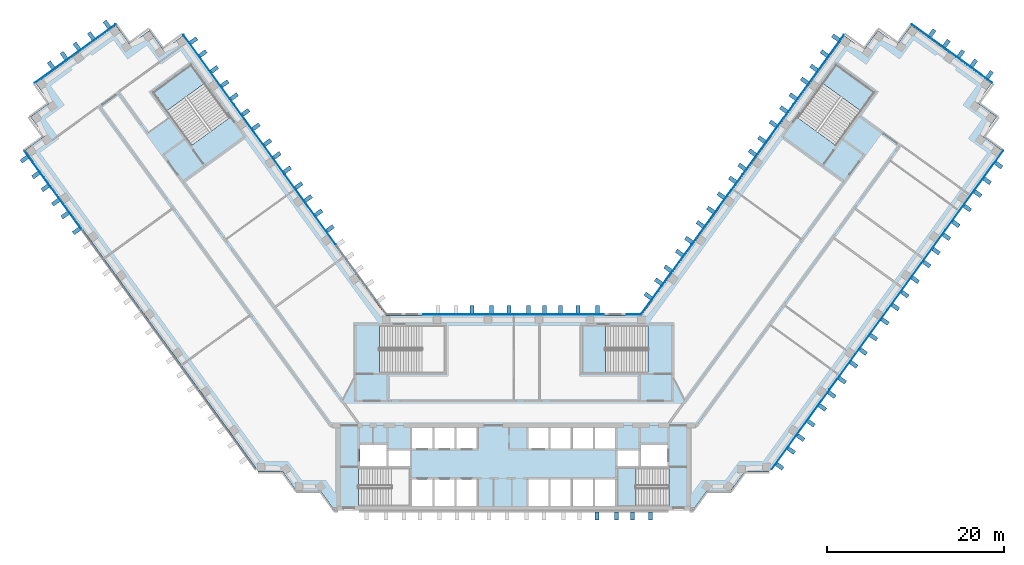
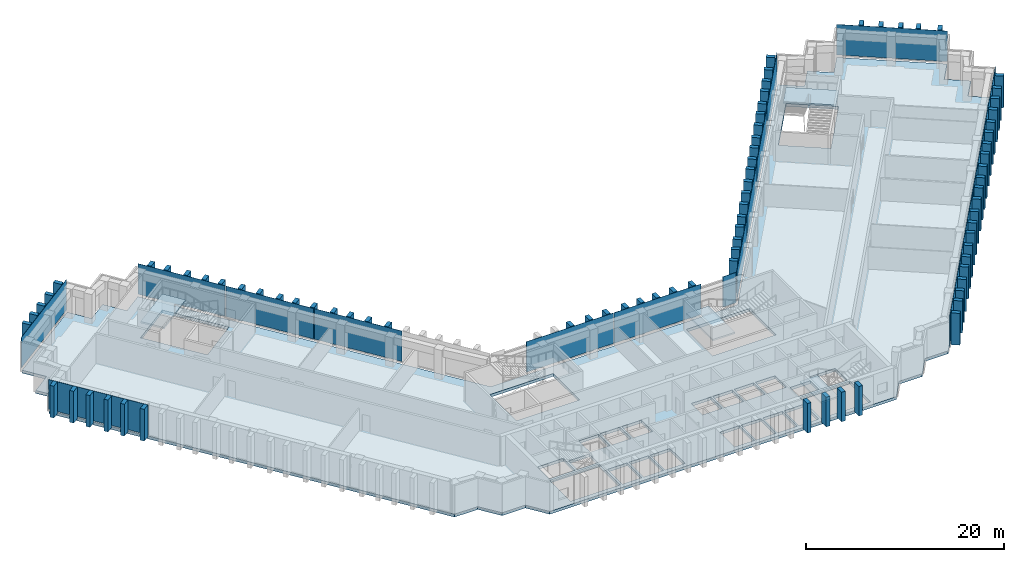
"""IFC4 building model written with IfcOpenShell, lengths in metres."""

from ifc_helpers import new_model, si_unit, direction, frame, origin, origin_2d, place, context, subcontext, project, spatial, polyline, rectangle, outline, extrude, material, layer, layer_set, type_object, element, aggregate, save


model = new_model("IFC4")

# Units and contexts
model_context = context("Model", 3, precision=1e-05, world=origin(), true_north=direction((0.0, 1.0)))
body_context = subcontext(model_context, "Body", "Model", "MODEL_VIEW")
ifc_project = project(units=[si_unit("LENGTHUNIT", "METRE"), si_unit("AREAUNIT", "SQUARE_METRE"), si_unit("VOLUMEUNIT", "CUBIC_METRE"), si_unit("PLANEANGLEUNIT", "RADIAN"), si_unit("MASSUNIT", "GRAM", prefix="KILO")], contexts=[model_context])

# Site, building, storey
site_placement = place(None, origin())
site = spatial("IfcSite", under=ifc_project, at=site_placement, CompositionType="ELEMENT")
building_placement = place(site_placement, origin())
building = spatial("IfcBuilding", under=site, at=building_placement, Name="Quipu Civic Tower", CompositionType="ELEMENT")
storey_1_placement = place(building_placement, frame((0.0, 0.0, 31.0)))
storey_1 = spatial("IfcBuildingStorey", under=building, at=storey_1_placement, Name="L06", CompositionType="ELEMENT", Elevation=31.0)

# Slab
ifc_material_1 = material(Name="Concrete C40/50", Category="concrete")
ifc_layer_1 = layer(ifc_material_1, 0.35009765625)
ifc_layer_set_1 = layer_set([ifc_layer_1], Name="Concrete C40/50")
slab_type_1 = type_object("IfcSlabType", Name="Floor slab 350 C40/50", PredefinedType="FLOOR", material=ifc_layer_set_1)
slab_1_placement = place(storey_1_placement, frame((0.0, 0.0, -0.35009765625)))
element("IfcSlab", 1, at=slab_1_placement, inside=storey_1, type_object=slab_type_1, Name="Floor slab L06", PredefinedType="FLOOR", context=body_context, shape_type="SweptSolid", body=[
    extrude(outline(polyline([(37.31494140625, 42.550048828125), (39.5, 40.9599609375), (41.0849609375, 43.14501953125), (43.27001953125, 41.56005859375), (44.860107421875, 43.739990234375), (53.919921875, 37.159912109375), (52.3349609375, 34.97509765625), (54.514892578125, 33.389892578125), (52.929931640625, 31.205078125), (55.114990234375, 29.614990234375), (28.780029296875, -6.6298828125), (26.080078125, -6.6298828125), (24.489990234375, -8.81494140625), (21.7900390625, -8.81494140625), (20.205078125, -11.0), (-20.205078125, -11.0), (-21.7900390625, -8.81494140625), (-24.489990234375, -8.81494140625), (-26.080078125, -6.6298828125), (-28.780029296875, -6.6298828125), (-55.114990234375, 29.614990234375), (-52.929931640625, 31.205078125), (-54.514892578125, 33.389892578125), (-52.3349609375, 34.97509765625), (-53.919921875, 37.159912109375), (-44.860107421875, 43.739990234375), (-43.27001953125, 41.56005859375), (-41.0849609375, 43.14501953125), (-39.5, 40.9599609375), (-37.31494140625, 42.550048828125), (-14.39501953125, 11.0), (14.39501953125, 11.0), (37.31494140625, 42.550048828125)]), holes=[polyline([(-11.449951171875, -7.5), (-11.449951171875, -10.5), (-9.14990234375, -10.5), (-9.14990234375, -7.5), (-11.449951171875, -7.5)]), polyline([(-6.64990234375, -7.5), (-8.949951171875, -7.5), (-8.949951171875, -10.5), (-6.64990234375, -10.5), (-6.64990234375, -7.5)]), polyline([(-4.14990234375, -7.5), (-6.449951171875, -7.5), (-6.449951171875, -10.5), (-4.14990234375, -10.5), (-4.14990234375, -7.5)]), polyline([(1.64990234375, -7.5), (1.64990234375, -10.5), (3.949951171875, -10.5), (3.949951171875, -7.5), (1.64990234375, -7.5)]), polyline([(-11.705078125, -10.4951171875), (-11.705078125, -6.2548828125), (-17.4951171875, -6.2548828125), (-17.4951171875, -10.4951171875), (-11.705078125, -10.4951171875)]), polyline([(-11.699951171875, -4.25), (-14.10009765625, -4.25), (-14.10009765625, -6.0), (-11.699951171875, -6.0), (-11.699951171875, -4.25)]), polyline([(-17.35009765625, -3.60009765625), (-17.35009765625, -6.0), (-14.35009765625, -6.0), (-14.35009765625, -3.60009765625), (-17.35009765625, -3.60009765625)]), polyline([(-9.14990234375, -1.699951171875), (-11.449951171875, -1.699951171875), (-11.449951171875, -4.0), (-9.14990234375, -4.0), (-9.14990234375, -1.699951171875)]), polyline([(-6.64990234375, -1.699951171875), (-8.949951171875, -1.699951171875), (-8.949951171875, -4.0), (-6.64990234375, -4.0), (-6.64990234375, -1.699951171875)]), polyline([(-6.449951171875, -1.699951171875), (-6.449951171875, -4.0), (-4.14990234375, -4.0), (-4.14990234375, -1.699951171875), (-6.449951171875, -1.699951171875)]), polyline([(-7.7548828125, 4.5048828125), (-7.7548828125, 9.844970703125), (-15.14501953125, 9.844970703125), (-15.14501953125, 4.5048828125), (-7.7548828125, 4.5048828125)]), polyline([(-36.364990234375, 39.27490234375), (-40.68505859375, 36.135009765625), (-36.344970703125, 30.159912109375), (-32.02490234375, 33.300048828125), (-36.364990234375, 39.27490234375)]), polyline([(4.14990234375, -7.5), (4.14990234375, -10.5), (6.449951171875, -10.5), (6.449951171875, -7.5), (4.14990234375, -7.5)]), polyline([(8.949951171875, -7.5), (6.64990234375, -7.5), (6.64990234375, -10.5), (8.949951171875, -10.5), (8.949951171875, -7.5)]), polyline([(11.449951171875, -7.5), (9.14990234375, -7.5), (9.14990234375, -10.5), (11.449951171875, -10.5), (11.449951171875, -7.5)]), polyline([(11.705078125, -10.4951171875), (17.4951171875, -10.4951171875), (17.4951171875, -6.2548828125), (11.705078125, -6.2548828125), (11.705078125, -10.4951171875)]), polyline([(14.10009765625, -4.25), (11.699951171875, -4.25), (11.699951171875, -6.0), (14.10009765625, -6.0), (14.10009765625, -4.25)]), polyline([(17.35009765625, -3.60009765625), (14.35009765625, -3.60009765625), (14.35009765625, -6.0), (17.35009765625, -6.0), (17.35009765625, -3.60009765625)]), polyline([(1.64990234375, -1.699951171875), (1.64990234375, -4.0), (3.949951171875, -4.0), (3.949951171875, -1.699951171875), (1.64990234375, -1.699951171875)]), polyline([(6.449951171875, -1.699951171875), (4.14990234375, -1.699951171875), (4.14990234375, -4.0), (6.449951171875, -4.0), (6.449951171875, -1.699951171875)]), polyline([(8.949951171875, -1.699951171875), (6.64990234375, -1.699951171875), (6.64990234375, -4.0), (8.949951171875, -4.0), (8.949951171875, -1.699951171875)]), polyline([(9.14990234375, -1.699951171875), (9.14990234375, -4.0), (11.449951171875, -4.0), (11.449951171875, -1.699951171875), (9.14990234375, -1.699951171875)]), polyline([(7.7548828125, 9.844970703125), (7.7548828125, 4.5048828125), (15.14501953125, 4.5048828125), (15.14501953125, 9.844970703125), (7.7548828125, 9.844970703125)]), polyline([(40.68505859375, 36.135009765625), (36.364990234375, 39.27490234375), (32.02490234375, 33.300048828125), (36.344970703125, 30.159912109375), (40.68505859375, 36.135009765625)])]), origin(), (0.0, 0.0, 1.0), 0.35009765625),
])

# Curtain wall, plate
ifc_material_2 = material(Name="Insulated glass unit", Category="glass")
curtain_wall_type = type_object("IfcCurtainWallType", Name="Office curtain wall CW1", PredefinedType="NOTDEFINED", material=ifc_material_2)
curtain_wall_1_placement = place(storey_1_placement, origin())
curtain_wall_1 = element("IfcCurtainWall", 2, at=curtain_wall_1_placement, inside=storey_1, type_object=curtain_wall_type, Name="Office curtain wall CW1 L06 run 4", PredefinedType="NOTDEFINED")
ifc_material_3 = material(Name="Insulated glass unit", Category="glass")
ifc_layer_2 = layer(ifc_material_3, 0.028076171875)
ifc_layer_set_2 = layer_set([ifc_layer_2], Name="Insulated glass unit")
plate_type_1 = type_object("IfcPlateType", Name="Glass panel CW1", PredefinedType="CURTAIN_PANEL", material=ifc_layer_set_2)
plate_1_placement = place(storey_1_placement, frame((-51.967529296875, 25.114990234375, 0.240234375), z_axis=(0.0, 0.0, 1.0), x_axis=(0.587785559869, -0.809016770908, 0.0)))
plate_1 = element("IfcPlate", 3, at=plate_1_placement, type_object=plate_type_1, Name="CW1 panel 1.1", PredefinedType="CURTAIN_PANEL", context=body_context, shape_type="SweptSolid", body=[
    extrude(rectangle(XDim=11.022705078125, YDim=0.028076171875, at=origin_2d()), origin(), (0.0, 0.0, 1.0), 3.679931640625),
])
aggregate(curtain_wall_1, [plate_1])

# Storey
storey_2_placement = place(building_placement, frame((0.0, 0.0, 35.0)))
storey_2 = spatial("IfcBuildingStorey", under=building, at=storey_2_placement, Name="L07", CompositionType="ELEMENT", Elevation=35.0)

# Curtain wall, plates
curtain_wall_2_placement = place(storey_2_placement, origin())
curtain_wall_2 = element("IfcCurtainWall", 4, at=curtain_wall_2_placement, inside=storey_2, type_object=curtain_wall_type, Name="Office curtain wall CW1 L06 run 16", PredefinedType="NOTDEFINED")
plate_2_placement = place(storey_1_placement, frame((32.342529296875, -1.896484375, 0.240234375), z_axis=(0.0, 0.0, 1.0), x_axis=(0.587785559869, 0.809016770908, 0.0)))
plate_2 = element("IfcPlate", 5, at=plate_2_placement, inside=storey_1, type_object=plate_type_1, Name="CW1 panel 1.1", PredefinedType="CURTAIN_PANEL", context=body_context, shape_type="SweptSolid", body=[
    extrude(rectangle(XDim=11.022705078125, YDim=0.028076171875, at=origin_2d()), origin(), (0.0, 0.0, 1.0), 3.760009765625),
])
plate_3_placement = place(storey_1_placement, frame((38.880126953125, 7.101806640625, 0.240234375), z_axis=(0.0, 0.0, 1.0), x_axis=(0.587785559869, 0.809016770908, 0.0)))
plate_3 = element("IfcPlate", 6, at=plate_3_placement, inside=storey_1, type_object=plate_type_1, Name="CW1 panel 2.1", PredefinedType="CURTAIN_PANEL", context=body_context, shape_type="SweptSolid", body=[
    extrude(rectangle(XDim=11.062744140625, YDim=0.028076171875, at=origin_2d()), origin(), (0.0, 0.0, 1.0), 3.760009765625),
])
plate_4_placement = place(storey_1_placement, frame((45.4296875, 16.11669921875, 0.240234375), z_axis=(0.0, 0.0, 1.0), x_axis=(0.587785559869, 0.809016770908, 0.0)))
plate_4 = element("IfcPlate", 7, at=plate_4_placement, inside=storey_1, type_object=plate_type_1, Name="CW1 panel 3.1", PredefinedType="CURTAIN_PANEL", context=body_context, shape_type="SweptSolid", body=[
    extrude(rectangle(XDim=11.062744140625, YDim=0.028076171875, at=origin_2d()), origin(), (0.0, 0.0, 1.0), 3.760009765625),
])
plate_5_placement = place(storey_1_placement, frame((51.967529296875, 25.114990234375, 0.240234375), z_axis=(0.0, 0.0, 1.0), x_axis=(0.587785559869, 0.809016770908, 0.0)))
plate_5 = element("IfcPlate", 8, at=plate_5_placement, inside=storey_1, type_object=plate_type_1, Name="CW1 panel 4.1", PredefinedType="CURTAIN_PANEL", context=body_context, shape_type="SweptSolid", body=[
    extrude(rectangle(XDim=11.022705078125, YDim=0.028076171875, at=origin_2d()), origin(), (0.0, 0.0, 1.0), 3.760009765625),
])
aggregate(curtain_wall_2, [plate_2, plate_3, plate_4, plate_5])

# Curtain wall, plate
curtain_wall_3_placement = place(storey_2_placement, origin())
curtain_wall_3 = element("IfcCurtainWall", 9, at=curtain_wall_3_placement, inside=storey_2, type_object=curtain_wall_type, Name="Office curtain wall CW1 L06 run 21", PredefinedType="NOTDEFINED")
plate_6_placement = place(storey_1_placement, frame((49.447998046875, 40.53173828125, 0.240234375), z_axis=(0.0, 0.0, 1.0), x_axis=(-0.809019348124, 0.587782012621, 0.0)))
plate_6 = element("IfcPlate", 10, at=plate_6_placement, inside=storey_1, type_object=plate_type_1, Name="CW1 panel 1.1", PredefinedType="CURTAIN_PANEL", context=body_context, shape_type="SweptSolid", body=[
    extrude(rectangle(XDim=11.239990234375, YDim=0.028076171875, at=origin_2d()), origin(), (0.0, 0.0, 1.0), 3.760009765625),
])
aggregate(curtain_wall_3, [plate_6])

# Curtain wall, plates
curtain_wall_4_placement = place(storey_2_placement, origin())
curtain_wall_4 = element("IfcCurtainWall", 11, at=curtain_wall_4_placement, inside=storey_2, type_object=curtain_wall_type, Name="Office curtain wall CW1 L06 run 26", PredefinedType="NOTDEFINED")
plate_7_placement = place(storey_1_placement, frame((34.413330078125, 38.722900390625, 0.240234375), z_axis=(0.0, 0.0, 1.0), x_axis=(-0.587785887566, -0.809016532822, 0.0)))
plate_7 = element("IfcPlate", 12, at=plate_7_placement, inside=storey_1, type_object=plate_type_1, Name="CW1 panel 1.1", PredefinedType="CURTAIN_PANEL", context=body_context, shape_type="SweptSolid", body=[
    extrude(rectangle(XDim=9.64111328125, YDim=0.028076171875, at=origin_2d()), origin(), (0.0, 0.0, 1.0), 3.760009765625),
])
plate_8_placement = place(storey_1_placement, frame((28.687744140625, 30.84228515625, 0.240234375), z_axis=(0.0, 0.0, 1.0), x_axis=(-0.587785887566, -0.809016532822, 0.0)))
plate_8 = element("IfcPlate", 13, at=plate_8_placement, inside=storey_1, type_object=plate_type_1, Name="CW1 panel 2.1", PredefinedType="CURTAIN_PANEL", context=body_context, shape_type="SweptSolid", body=[
    extrude(rectangle(XDim=9.68115234375, YDim=0.028076171875, at=origin_2d()), origin(), (0.0, 0.0, 1.0), 3.760009765625),
])
plate_9_placement = place(storey_1_placement, frame((22.950439453125, 22.9453125, 0.240234375), z_axis=(0.0, 0.0, 1.0), x_axis=(-0.587785887566, -0.809016532822, 0.0)))
plate_9 = element("IfcPlate", 14, at=plate_9_placement, inside=storey_1, type_object=plate_type_1, Name="CW1 panel 3.1", PredefinedType="CURTAIN_PANEL", context=body_context, shape_type="SweptSolid", body=[
    extrude(rectangle(XDim=9.68115234375, YDim=0.028076171875, at=origin_2d()), origin(), (0.0, 0.0, 1.0), 3.760009765625),
])
plate_10_placement = place(storey_1_placement, frame((17.224609375, 15.064697265625, 0.240234375), z_axis=(0.0, 0.0, 1.0), x_axis=(-0.587785887566, -0.809016532822, 0.0)))
plate_10 = element("IfcPlate", 15, at=plate_10_placement, inside=storey_1, type_object=plate_type_1, Name="CW1 panel 4.1", PredefinedType="CURTAIN_PANEL", context=body_context, shape_type="SweptSolid", body=[
    extrude(rectangle(XDim=9.64111328125, YDim=0.028076171875, at=origin_2d()), origin(), (0.0, 0.0, 1.0), 3.760009765625),
])
aggregate(curtain_wall_4, [plate_7, plate_8, plate_9, plate_10])

# Curtain wall, plate
curtain_wall_5_placement = place(storey_2_placement, origin())
curtain_wall_5 = element("IfcCurtainWall", 16, at=curtain_wall_5_placement, inside=storey_2, type_object=curtain_wall_type, Name="Office curtain wall CW1 L06 run 27", PredefinedType="NOTDEFINED")
plate_11_placement = place(storey_1_placement, frame((13.49951171875, 11.10009765625, 0.240234375), z_axis=(0.0, 0.0, 1.0), x_axis=(-1.0, 0.0, 0.0)))
plate_11 = element("IfcPlate", 17, at=plate_11_placement, inside=storey_1, type_object=plate_type_1, Name="CW1 panel 1.1", PredefinedType="CURTAIN_PANEL", context=body_context, shape_type="SweptSolid", body=[
    extrude(rectangle(XDim=1.529296875, YDim=0.028076171875, at=origin_2d()), origin(), (0.0, 0.0, 1.0), 3.760009765625),
])
aggregate(curtain_wall_5, [plate_11])

# Curtain wall, plates
curtain_wall_6_placement = place(storey_2_placement, origin())
curtain_wall_6 = element("IfcCurtainWall", 18, at=curtain_wall_6_placement, inside=storey_2, type_object=curtain_wall_type, Name="Office curtain wall CW1 L06 run 29", PredefinedType="NOTDEFINED")
plate_12_placement = place(storey_1_placement, frame((5.11181640625, 11.10009765625, 0.240234375), z_axis=(0.0, 0.0, 1.0), x_axis=(-1.0, 0.0, 0.0)))
plate_12 = element("IfcPlate", 19, at=plate_12_placement, inside=storey_1, type_object=plate_type_1, Name="CW1 panel 1.1", PredefinedType="CURTAIN_PANEL", context=body_context, shape_type="SweptSolid", body=[
    extrude(rectangle(XDim=10.1435546875, YDim=0.028076171875, at=origin_2d()), origin(), (0.0, 0.0, 1.0), 3.760009765625),
])
plate_13_placement = place(storey_1_placement, frame((-5.11181640625, 11.10009765625, 0.240234375), z_axis=(0.0, 0.0, 1.0), x_axis=(-1.0, 0.0, 0.0)))
plate_13 = element("IfcPlate", 20, at=plate_13_placement, inside=storey_1, type_object=plate_type_1, Name="CW1 panel 2.1", PredefinedType="CURTAIN_PANEL", context=body_context, shape_type="SweptSolid", body=[
    extrude(rectangle(XDim=10.1435546875, YDim=0.028076171875, at=origin_2d()), origin(), (0.0, 0.0, 1.0), 3.760009765625),
])
aggregate(curtain_wall_6, [plate_12, plate_13])

curtain_wall_7_placement = place(storey_2_placement, origin())
curtain_wall_7 = element("IfcCurtainWall", 21, at=curtain_wall_7_placement, inside=storey_2, type_object=curtain_wall_type, Name="Office curtain wall CW1 L06 run 32", PredefinedType="NOTDEFINED")
plate_14_placement = place(storey_1_placement, frame((-22.950439453125, 22.9453125, 0.240234375), z_axis=(0.0, 0.0, 1.0), x_axis=(-0.587785887566, 0.809016532822, 0.0)))
plate_14 = element("IfcPlate", 22, at=plate_14_placement, inside=storey_1, type_object=plate_type_1, Name="CW1 panel 2.1", PredefinedType="CURTAIN_PANEL", context=body_context, shape_type="SweptSolid", body=[
    extrude(rectangle(XDim=9.68115234375, YDim=0.028076171875, at=origin_2d()), origin(), (0.0, 0.0, 1.0), 3.760009765625),
])
plate_15_placement = place(storey_1_placement, frame((-28.687744140625, 30.84228515625, 0.240234375), z_axis=(0.0, 0.0, 1.0), x_axis=(-0.587785887566, 0.809016532822, 0.0)))
plate_15 = element("IfcPlate", 23, at=plate_15_placement, inside=storey_1, type_object=plate_type_1, Name="CW1 panel 3.1", PredefinedType="CURTAIN_PANEL", context=body_context, shape_type="SweptSolid", body=[
    extrude(rectangle(XDim=9.68115234375, YDim=0.028076171875, at=origin_2d()), origin(), (0.0, 0.0, 1.0), 3.760009765625),
])
plate_16_placement = place(storey_1_placement, frame((-34.413330078125, 38.722900390625, 0.240234375), z_axis=(0.0, 0.0, 1.0), x_axis=(-0.587785887566, 0.809016532822, 0.0)))
plate_16 = element("IfcPlate", 24, at=plate_16_placement, inside=storey_1, type_object=plate_type_1, Name="CW1 panel 4.1", PredefinedType="CURTAIN_PANEL", context=body_context, shape_type="SweptSolid", body=[
    extrude(rectangle(XDim=9.64111328125, YDim=0.028076171875, at=origin_2d()), origin(), (0.0, 0.0, 1.0), 3.760009765625),
])
aggregate(curtain_wall_7, [plate_14, plate_15, plate_16])

# Curtain wall, plate
curtain_wall_8_placement = place(storey_2_placement, origin())
curtain_wall_8 = element("IfcCurtainWall", 25, at=curtain_wall_8_placement, inside=storey_2, type_object=curtain_wall_type, Name="Office curtain wall CW1 L06 run 37", PredefinedType="NOTDEFINED")
plate_17_placement = place(storey_1_placement, frame((-49.447998046875, 40.53173828125, 0.240234375), z_axis=(0.0, 0.0, 1.0), x_axis=(-0.809019348124, -0.587782012621, 0.0)))
plate_17 = element("IfcPlate", 26, at=plate_17_placement, inside=storey_1, type_object=plate_type_1, Name="CW1 panel 1.1", PredefinedType="CURTAIN_PANEL", context=body_context, shape_type="SweptSolid", body=[
    extrude(rectangle(XDim=11.239990234375, YDim=0.028076171875, at=origin_2d()), origin(), (0.0, 0.0, 1.0), 3.760009765625),
])
aggregate(curtain_wall_8, [plate_17])

# Plates
ifc_material_4 = material(Name="Precast concrete C40/50", Category="concrete")
plate_type_2 = type_object("IfcPlateType", Name="Precast fin F1", PredefinedType="SHEET", material=ifc_material_4)
for number, where, z_axis, x_axis, name in (
    (27, (-55.184814453125, 28.607421875, 0.080078125), (0.0, 0.0, 1.0), (0.587785716149, -0.809016657363, 0.0), "Precast fin F1 L06.4.1"),
    (28, (-53.8916015625, 26.82763671875, 0.080078125), (0.0, 0.0, 1.0), (0.587785716149, -0.809016657363, 0.0), "Precast fin F1 L06.4.2"),
    (29, (-52.83349609375, 25.371337890625, 0.080078125), (0.0, 0.0, 1.0), (0.587785716149, -0.809016657363, 0.0), "Precast fin F1 L06.4.3"),
    (30, (-51.657958984375, 23.75341796875, 0.080078125), (0.0, 0.0, 1.0), (0.587785716149, -0.809016657363, 0.0), "Precast fin F1 L06.4.4"),
    (31, (-50.60009765625, 22.297119140625, 0.080078125), (0.0, 0.0, 1.0), (0.587785716149, -0.809016657363, 0.0), "Precast fin F1 L06.4.5"),
    (32, (-49.306884765625, 20.517333984375, 0.080078125), (0.0, 0.0, 1.0), (0.587785716149, -0.809016657363, 0.0), "Precast fin F1 L06.4.6"),
):
    element("IfcPlate", number, at=place(storey_1_placement, frame(where, z_axis=z_axis, x_axis=x_axis)), inside=storey_1, type_object=plate_type_2, Name=name, PredefinedType="SHEET", context=body_context, shape_type="SweptSolid", body=[
        extrude(rectangle(XDim=0.449951171875, YDim=0.89990234375, at=origin_2d()), origin(), (0.0, 0.0, 1.0), 3.919921875),
    ])
for number, where, z_axis, x_axis, name in (
    (33, (9.425048828125, -11.637939453125, 0.0), (0.0, 0.0, 1.0), (1.0, 0.0, 0.0), "Precast fin F1 L06.10.14"),
    (34, (11.625, -11.637939453125, 0.0), (0.0, 0.0, 1.0), (1.0, 0.0, 0.0), "Precast fin F1 L06.10.15"),
    (35, (13.425048828125, -11.637939453125, 0.0), (0.0, 0.0, 1.0), (1.0, 0.0, 0.0), "Precast fin F1 L06.10.16"),
    (36, (15.425048828125, -11.637939453125, 0.0), (0.0, 0.0, 1.0), (1.0, 0.0, 0.0), "Precast fin F1 L06.10.17"),
):
    element("IfcPlate", number, at=place(storey_1_placement, frame(where, z_axis=z_axis, x_axis=x_axis)), inside=storey_1, type_object=plate_type_2, Name=name, PredefinedType="SHEET", context=body_context, shape_type="SweptSolid", body=[
        extrude(rectangle(XDim=0.449951171875, YDim=0.89990234375, at=origin_2d()), origin(), (0.0, 0.0, 1.0), 3.64990234375),
    ])
for number, where, z_axis, x_axis, name in (
    (37, (30.014892578125, -6.03564453125, 0.080078125), (0.0, 0.0, 1.0), (0.587785716149, 0.809016657363, 0.0), "Precast fin F1 L06.16.1"),
    (38, (31.30810546875, -4.255859375, 0.080078125), (0.0, 0.0, 1.0), (0.587785716149, 0.809016657363, 0.0), "Precast fin F1 L06.16.2"),
    (39, (32.365966796875, -2.7998046875, 0.080078125), (0.0, 0.0, 1.0), (0.587785716149, 0.809016657363, 0.0), "Precast fin F1 L06.16.3"),
    (40, (33.541748046875, -1.181640625, 0.080078125), (0.0, 0.0, 1.0), (0.587785716149, 0.809016657363, 0.0), "Precast fin F1 L06.16.4"),
    (41, (34.834716796875, 0.59814453125, 0.080078125), (0.0, 0.0, 1.0), (0.587785716149, 0.809016657363, 0.0), "Precast fin F1 L06.16.5"),
    (42, (35.892822265625, 2.054443359375, 0.080078125), (0.0, 0.0, 1.0), (0.587785716149, 0.809016657363, 0.0), "Precast fin F1 L06.16.6"),
    (43, (37.068359375, 3.67236328125, 0.080078125), (0.0, 0.0, 1.0), (0.587785716149, 0.809016657363, 0.0), "Precast fin F1 L06.16.7"),
    (44, (38.361572265625, 5.452392578125, 0.080078125), (0.0, 0.0, 1.0), (0.587785716149, 0.809016657363, 0.0), "Precast fin F1 L06.16.8"),
    (45, (39.41943359375, 6.908447265625, 0.080078125), (0.0, 0.0, 1.0), (0.587785716149, 0.809016657363, 0.0), "Precast fin F1 L06.16.9"),
    (46, (40.594970703125, 8.526611328125, 0.080078125), (0.0, 0.0, 1.0), (0.587785716149, 0.809016657363, 0.0), "Precast fin F1 L06.16.10"),
    (47, (41.88818359375, 10.306396484375, 0.080078125), (0.0, 0.0, 1.0), (0.587785716149, 0.809016657363, 0.0), "Precast fin F1 L06.16.11"),
    (48, (43.063720703125, 11.92431640625, 0.080078125), (0.0, 0.0, 1.0), (0.587785716149, 0.809016657363, 0.0), "Precast fin F1 L06.16.12"),
    (49, (44.121826171875, 13.380615234375, 0.080078125), (0.0, 0.0, 1.0), (0.587785716149, 0.809016657363, 0.0), "Precast fin F1 L06.16.13"),
    (50, (45.29736328125, 14.998779296875, 0.080078125), (0.0, 0.0, 1.0), (0.587785716149, 0.809016657363, 0.0), "Precast fin F1 L06.16.14"),
    (51, (46.590576171875, 16.778564453125, 0.080078125), (0.0, 0.0, 1.0), (0.587785716149, 0.809016657363, 0.0), "Precast fin F1 L06.16.15"),
    (52, (47.6484375, 18.234619140625, 0.080078125), (0.0, 0.0, 1.0), (0.587785716149, 0.809016657363, 0.0), "Precast fin F1 L06.16.16"),
    (53, (48.823974609375, 19.852783203125, 0.080078125), (0.0, 0.0, 1.0), (0.587785716149, 0.809016657363, 0.0), "Precast fin F1 L06.16.17"),
    (54, (49.882080078125, 21.30908203125, 0.080078125), (0.0, 0.0, 1.0), (0.587785716149, 0.809016657363, 0.0), "Precast fin F1 L06.16.18"),
    (55, (51.17529296875, 23.0888671875, 0.080078125), (0.0, 0.0, 1.0), (0.587785716149, 0.809016657363, 0.0), "Precast fin F1 L06.16.19"),
    (56, (52.350830078125, 24.706787109375, 0.080078125), (0.0, 0.0, 1.0), (0.587785716149, 0.809016657363, 0.0), "Precast fin F1 L06.16.20"),
    (57, (53.40869140625, 26.1630859375, 0.080078125), (0.0, 0.0, 1.0), (0.587785716149, 0.809016657363, 0.0), "Precast fin F1 L06.16.21"),
    (58, (54.701904296875, 27.94287109375, 0.080078125), (0.0, 0.0, 1.0), (0.587785716149, 0.809016657363, 0.0), "Precast fin F1 L06.16.22"),
    (59, (53.6748046875, 38.140625, 0.080078125), (0.0, 0.0, 1.0), (-0.809021318545, 0.587779300537, 0.0), "Precast fin F1 L06.21.1"),
    (60, (51.89501953125, 39.433837890625, 0.080078125), (0.0, 0.0, 1.0), (-0.809021318545, 0.587779300537, 0.0), "Precast fin F1 L06.21.2"),
    (61, (50.438720703125, 40.49169921875, 0.080078125), (0.0, 0.0, 1.0), (-0.809021318545, 0.587779300537, 0.0), "Precast fin F1 L06.21.3"),
    (62, (48.82080078125, 41.66748046875, 0.080078125), (0.0, 0.0, 1.0), (-0.809021318545, 0.587779300537, 0.0), "Precast fin F1 L06.21.4"),
    (63, (47.20263671875, 42.843017578125, 0.080078125), (0.0, 0.0, 1.0), (-0.809021318545, 0.587779300537, 0.0), "Precast fin F1 L06.21.5"),
    (64, (36.334716796875, 42.302978515625, 0.080078125), (0.0, 0.0, 1.0), (-0.587784944053, -0.809017218324, 0.0), "Precast fin F1 L06.26.1"),
    (65, (35.04150390625, 40.52294921875, 0.080078125), (0.0, 0.0, 1.0), (-0.587784944053, -0.809017218324, 0.0), "Precast fin F1 L06.26.2"),
    (66, (33.865966796875, 38.905029296875, 0.080078125), (0.0, 0.0, 1.0), (-0.587784944053, -0.809017218324, 0.0), "Precast fin F1 L06.26.3"),
    (67, (32.807861328125, 37.44873046875, 0.080078125), (0.0, 0.0, 1.0), (-0.587784944053, -0.809017218324, 0.0), "Precast fin F1 L06.26.4"),
    (68, (31.5146484375, 35.6689453125, 0.080078125), (0.0, 0.0, 1.0), (-0.587784944053, -0.809017218324, 0.0), "Precast fin F1 L06.26.5"),
    (69, (30.456787109375, 34.212646484375, 0.080078125), (0.0, 0.0, 1.0), (-0.587784944053, -0.809017218324, 0.0), "Precast fin F1 L06.26.6"),
    (70, (29.28125, 32.5947265625, 0.080078125), (0.0, 0.0, 1.0), (-0.587784944053, -0.809017218324, 0.0), "Precast fin F1 L06.26.7"),
    (71, (27.988037109375, 30.81494140625, 0.080078125), (0.0, 0.0, 1.0), (-0.587784944053, -0.809017218324, 0.0), "Precast fin F1 L06.26.8"),
    (72, (26.929931640625, 29.358642578125, 0.080078125), (0.0, 0.0, 1.0), (-0.587784944053, -0.809017218324, 0.0), "Precast fin F1 L06.26.9"),
    (73, (25.75439453125, 27.740478515625, 0.080078125), (0.0, 0.0, 1.0), (-0.587784944053, -0.809017218324, 0.0), "Precast fin F1 L06.26.10"),
    (74, (24.696533203125, 26.284423828125, 0.080078125), (0.0, 0.0, 1.0), (-0.587784944053, -0.809017218324, 0.0), "Precast fin F1 L06.26.11"),
    (75, (23.4033203125, 24.50439453125, 0.080078125), (0.0, 0.0, 1.0), (-0.587784944053, -0.809017218324, 0.0), "Precast fin F1 L06.26.12"),
    (76, (22.227783203125, 22.886474609375, 0.080078125), (0.0, 0.0, 1.0), (-0.587784944053, -0.809017218324, 0.0), "Precast fin F1 L06.26.13"),
    (77, (21.05224609375, 21.268310546875, 0.080078125), (0.0, 0.0, 1.0), (-0.587784944053, -0.809017218324, 0.0), "Precast fin F1 L06.26.14"),
    (78, (19.759033203125, 19.488525390625, 0.080078125), (0.0, 0.0, 1.0), (-0.587784944053, -0.809017218324, 0.0), "Precast fin F1 L06.26.15"),
    (79, (18.701171875, 18.032470703125, 0.080078125), (0.0, 0.0, 1.0), (-0.587784944053, -0.809017218324, 0.0), "Precast fin F1 L06.26.16"),
    (80, (17.407958984375, 16.25244140625, 0.080078125), (0.0, 0.0, 1.0), (-0.587784944053, -0.809017218324, 0.0), "Precast fin F1 L06.26.17"),
    (81, (16.349853515625, 14.79638671875, 0.080078125), (0.0, 0.0, 1.0), (-0.587784944053, -0.809017218324, 0.0), "Precast fin F1 L06.26.18"),
    (82, (15.17431640625, 13.17822265625, 0.080078125), (0.0, 0.0, 1.0), (-0.587784944053, -0.809017218324, 0.0), "Precast fin F1 L06.26.19"),
    (83, (9.47509765625, 11.64990234375, 0.080078125), (0.0, 0.0, 1.0), (-1.0, 0.0, 0.0), "Precast fin F1 L06.29.1"),
    (84, (7.27490234375, 11.64990234375, 0.080078125), (0.0, 0.0, 1.0), (-1.0, 0.0, 0.0), "Precast fin F1 L06.29.2"),
    (85, (5.27490234375, 11.64990234375, 0.080078125), (0.0, 0.0, 1.0), (-1.0, 0.0, 0.0), "Precast fin F1 L06.29.3"),
    (86, (3.47509765625, 11.64990234375, 0.080078125), (0.0, 0.0, 1.0), (-1.0, 0.0, 0.0), "Precast fin F1 L06.29.4"),
    (87, (1.675048828125, 11.64990234375, 0.080078125), (0.0, 0.0, 1.0), (-1.0, 0.0, 0.0), "Precast fin F1 L06.29.5"),
    (88, (-0.52490234375, 11.64990234375, 0.080078125), (0.0, 0.0, 1.0), (-1.0, 0.0, 0.0), "Precast fin F1 L06.29.6"),
    (89, (-2.52490234375, 11.64990234375, 0.080078125), (0.0, 0.0, 1.0), (-1.0, 0.0, 0.0), "Precast fin F1 L06.29.7"),
    (90, (-4.72509765625, 11.64990234375, 0.080078125), (0.0, 0.0, 1.0), (-1.0, 0.0, 0.0), "Precast fin F1 L06.29.8"),
    (91, (-20.702392578125, 20.786865234375, 0.080078125), (0.0, 0.0, 1.0), (-0.587784944053, 0.809017218324, 0.0), "Precast fin F1 L06.32.6"),
    (92, (-21.995361328125, 22.566650390625, 0.080078125), (0.0, 0.0, 1.0), (-0.587784944053, 0.809017218324, 0.0), "Precast fin F1 L06.32.7"),
    (93, (-23.171142578125, 24.184814453125, 0.080078125), (0.0, 0.0, 1.0), (-0.587784944053, 0.809017218324, 0.0), "Precast fin F1 L06.32.8"),
    (94, (-24.22900390625, 25.640869140625, 0.080078125), (0.0, 0.0, 1.0), (-0.587784944053, 0.809017218324, 0.0), "Precast fin F1 L06.32.9"),
    (95, (-25.522216796875, 27.4208984375, 0.080078125), (0.0, 0.0, 1.0), (-0.587784944053, 0.809017218324, 0.0), "Precast fin F1 L06.32.10"),
    (96, (-26.69775390625, 29.038818359375, 0.080078125), (0.0, 0.0, 1.0), (-0.587784944053, 0.809017218324, 0.0), "Precast fin F1 L06.32.11"),
    (97, (-27.755859375, 30.4951171875, 0.080078125), (0.0, 0.0, 1.0), (-0.587784944053, 0.809017218324, 0.0), "Precast fin F1 L06.32.12"),
    (98, (-29.048828125, 32.27490234375, 0.080078125), (0.0, 0.0, 1.0), (-0.587784944053, 0.809017218324, 0.0), "Precast fin F1 L06.32.13"),
    (99, (-30.224365234375, 33.89306640625, 0.080078125), (0.0, 0.0, 1.0), (-0.587784944053, 0.809017218324, 0.0), "Precast fin F1 L06.32.14"),
    (100, (-31.517578125, 35.6728515625, 0.080078125), (0.0, 0.0, 1.0), (-0.587784944053, 0.809017218324, 0.0), "Precast fin F1 L06.32.15"),
    (101, (-32.57568359375, 37.129150390625, 0.080078125), (0.0, 0.0, 1.0), (-0.587784944053, 0.809017218324, 0.0), "Precast fin F1 L06.32.16"),
    (102, (-33.751220703125, 38.7470703125, 0.080078125), (0.0, 0.0, 1.0), (-0.587784944053, 0.809017218324, 0.0), "Precast fin F1 L06.32.17"),
    (103, (-35.044189453125, 40.52685546875, 0.080078125), (0.0, 0.0, 1.0), (-0.587784944053, 0.809017218324, 0.0), "Precast fin F1 L06.32.18"),
    (104, (-36.102294921875, 41.983154296875, 0.080078125), (0.0, 0.0, 1.0), (-0.587784944053, 0.809017218324, 0.0), "Precast fin F1 L06.32.19"),
    (105, (-45.867919921875, 43.812744140625, 0.080078125), (0.0, 0.0, 1.0), (-0.809021318545, -0.587779300537, 0.0), "Precast fin F1 L06.37.1"),
    (106, (-47.647705078125, 42.51953125, 0.080078125), (0.0, 0.0, 1.0), (-0.809021318545, -0.587779300537, 0.0), "Precast fin F1 L06.37.2"),
    (107, (-49.265625, 41.343994140625, 0.080078125), (0.0, 0.0, 1.0), (-0.809021318545, -0.587779300537, 0.0), "Precast fin F1 L06.37.3"),
    (108, (-50.721923828125, 40.2861328125, 0.080078125), (0.0, 0.0, 1.0), (-0.809021318545, -0.587779300537, 0.0), "Precast fin F1 L06.37.4"),
    (109, (-52.17822265625, 39.22802734375, 0.080078125), (0.0, 0.0, 1.0), (-0.809021318545, -0.587779300537, 0.0), "Precast fin F1 L06.37.5"),
):
    element("IfcPlate", number, at=place(storey_1_placement, frame(where, z_axis=z_axis, x_axis=x_axis)), inside=storey_1, type_object=plate_type_2, Name=name, PredefinedType="SHEET", context=body_context, shape_type="SweptSolid", body=[
        extrude(rectangle(XDim=0.449951171875, YDim=0.89990234375, at=origin_2d()), origin(), (0.0, 0.0, 1.0), 3.919921875),
    ])

# Stair, slab
ifc_material_5 = material(Name="Concrete C40/50", Category="concrete")
stair_type_1 = type_object("IfcStairType", Name="Half turn stair 2000", PredefinedType="HALF_TURN_STAIR", material=ifc_material_5)
stair_1_placement = place(storey_1_placement, origin())
stair_1 = element("IfcStair", 110, at=stair_1_placement, inside=storey_1, type_object=stair_type_1, Name="Exit stair 2", PredefinedType="HALF_TURN_STAIR")
ifc_material_6 = material(Name="Concrete C40/50", Category="concrete")
ifc_layer_3 = layer(ifc_material_6, 0.199951171875)
ifc_layer_set_3 = layer_set([ifc_layer_3], Name="Concrete C40/50")
slab_type_2 = type_object("IfcSlabType", Name="Stair landing 200", PredefinedType="LANDING", material=ifc_layer_set_3)
slab_2_placement = place(storey_1_placement, frame((0.0, 0.0, 1.800048828125)))
slab_2 = element("IfcSlab", 111, at=slab_2_placement, type_object=slab_type_2, Name="ST-2 landing 1", PredefinedType="LANDING", context=body_context, shape_type="SweptSolid", body=[
    extrude(outline(polyline([(13.780029296875, -6.25), (11.699951171875, -6.25), (11.699951171875, -10.5), (13.780029296875, -10.5), (13.780029296875, -6.25)])), origin(), (0.0, 0.0, 1.0), 0.199951171875),
])
aggregate(stair_1, [slab_2])

ifc_material_7 = material(Name="Concrete C40/50", Category="concrete")
stair_type_2 = type_object("IfcStairType", Name="Half turn stair 2600", PredefinedType="HALF_TURN_STAIR", material=ifc_material_7)
stair_2_placement = place(storey_1_placement, origin())
stair_2 = element("IfcStair", 112, at=stair_2_placement, inside=storey_1, type_object=stair_type_2, Name="Exit stair 4", PredefinedType="HALF_TURN_STAIR")
slab_3_placement = place(storey_1_placement, frame((0.0, 0.0, 1.800048828125)))
slab_3 = element("IfcSlab", 113, at=slab_3_placement, type_object=slab_type_2, Name="ST-4 landing 1", PredefinedType="LANDING", context=body_context, shape_type="SweptSolid", body=[
    extrude(outline(polyline([(10.35009765625, 9.85009765625), (7.75, 9.85009765625), (7.75, 4.5), (10.35009765625, 4.5), (10.35009765625, 9.85009765625)])), origin(), (0.0, 0.0, 1.0), 0.199951171875),
])
aggregate(stair_2, [slab_3])

stair_3_placement = place(storey_1_placement, origin())
stair_3 = element("IfcStair", 114, at=stair_3_placement, inside=storey_1, type_object=stair_type_2, Name="Exit stair 6", PredefinedType="HALF_TURN_STAIR")
slab_4_placement = place(storey_1_placement, frame((0.0, 0.0, 1.800048828125)))
slab_4 = element("IfcSlab", 115, at=slab_4_placement, type_object=slab_type_2, Name="ST-6 landing 1", PredefinedType="LANDING", context=body_context, shape_type="SweptSolid", body=[
    extrude(outline(polyline([(-34.837158203125, 37.179443359375), (-36.365478515625, 39.282958984375), (-40.69384765625, 36.138427734375), (-39.16552734375, 34.034912109375), (-34.837158203125, 37.179443359375)])), origin(), (0.0, 0.0, 1.0), 0.199951171875),
])
aggregate(stair_3, [slab_4])

stair_4_placement = place(storey_1_placement, origin())
stair_4 = element("IfcStair", 116, at=stair_4_placement, inside=storey_1, type_object=stair_type_2, Name="Exit stair 7", PredefinedType="HALF_TURN_STAIR")
slab_5_placement = place(storey_1_placement, frame((0.0, 0.0, 1.800048828125)))
slab_5 = element("IfcSlab", 117, at=slab_5_placement, type_object=slab_type_2, Name="ST-7 landing 1", PredefinedType="LANDING", context=body_context, shape_type="SweptSolid", body=[
    extrude(outline(polyline([(39.16552734375, 34.034912109375), (40.69384765625, 36.138427734375), (36.365478515625, 39.282958984375), (34.837158203125, 37.179443359375), (39.16552734375, 34.034912109375)])), origin(), (0.0, 0.0, 1.0), 0.199951171875),
])
aggregate(stair_4, [slab_5])

save(model, "model.ifc")
